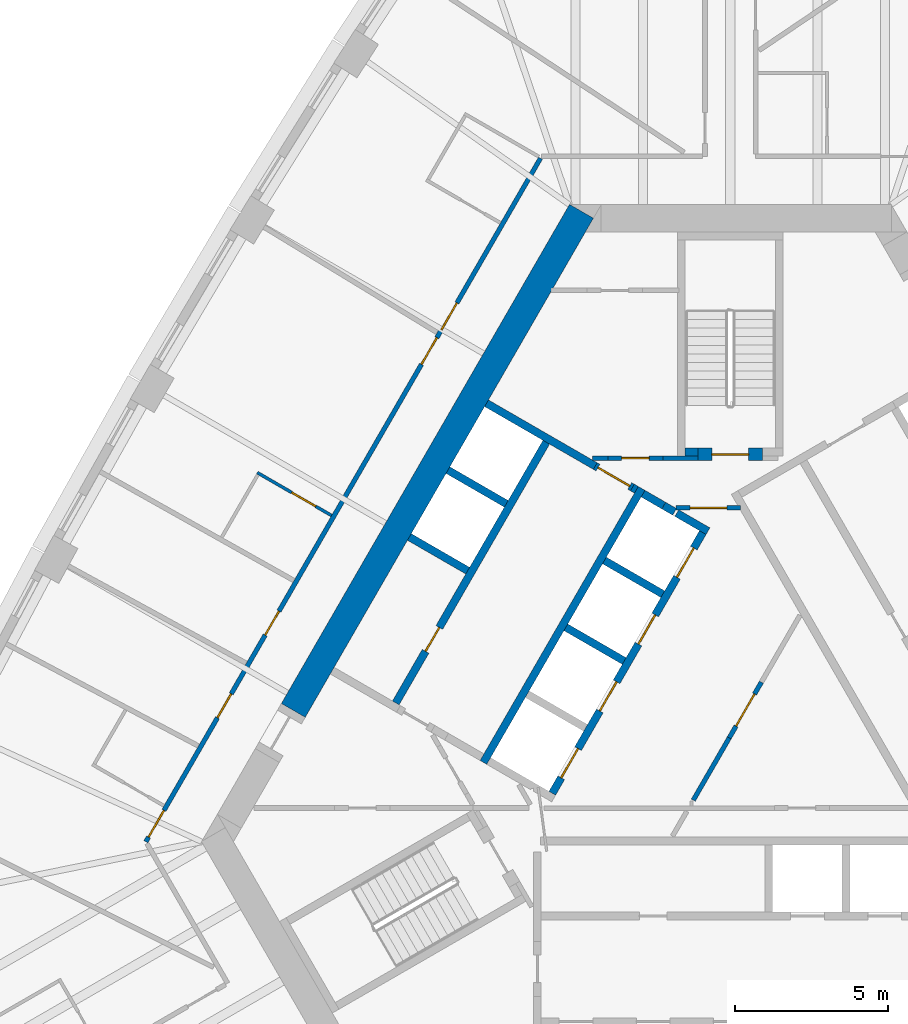
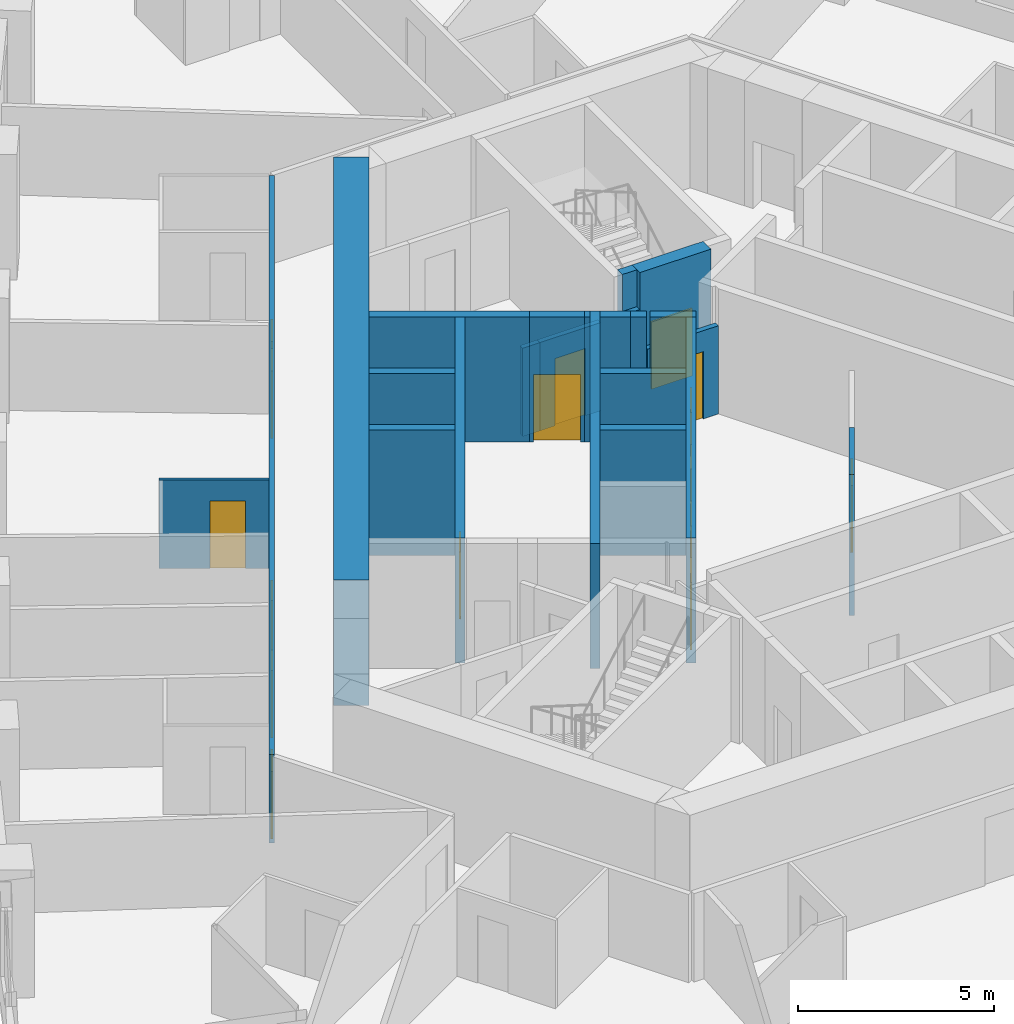
# One storey, part 6 of 12: 24 walls, 16 doors, 16 openings.
"""IFC4 building model written with IfcOpenShell, lengths in metres."""

from ifc_helpers import new_model, si_unit, direction, frame, frame_2d, origin, place, context, subcontext, project, spatial, polyline, rectangle, outline, extrude, material, layer, layer_set, type_object, element, fill, save


model = new_model("IFC4")

# Units and contexts
model_context = context("Model", 3, precision=1e-05, world=origin(), true_north=direction((0.0, 1.0)))
body_context = subcontext(model_context, "Body", "Model", "MODEL_VIEW")
ifc_project = project(units=[si_unit("LENGTHUNIT", "METRE"), si_unit("AREAUNIT", "SQUARE_METRE"), si_unit("VOLUMEUNIT", "CUBIC_METRE"), si_unit("PLANEANGLEUNIT", "RADIAN"), si_unit("MASSUNIT", "GRAM", prefix="KILO")], contexts=[model_context])

# Site, building, storey
site_placement = place(None, origin())
site = spatial("IfcSite", under=ifc_project, at=site_placement, CompositionType="ELEMENT")
building_placement = place(site_placement, origin())
building = spatial("IfcBuilding", under=site, at=building_placement, Name="Mestral Congress Tower", CompositionType="ELEMENT")
storey_placement = place(building_placement, frame((0.0, 0.0, 126.60009765625)))
storey = spatial("IfcBuildingStorey", under=building, at=storey_placement, Name="L30", CompositionType="ELEMENT", Elevation=126.60009765625)

# Walls
ifc_material_1 = material(Name="Fire-rated board partition")
ifc_layer_1 = layer(ifc_material_1, 0.14990234375)
ifc_layer_set_1 = layer_set([ifc_layer_1], Name="Fire-rated board partition")
wall_type_1 = type_object("IfcWallType", Name="Core partition 150", PredefinedType="PARTITIONING", material=ifc_layer_set_1)
wall_1_placement = place(storey_placement, frame((-1.20849609375, -2.5439453125, 0.0), z_axis=(0.0, 0.0, 1.0), x_axis=(0.499995339376, 0.86602809458, 0.0)))
element("IfcWall", 1, at=wall_1_placement, inside=storey, type_object=wall_type_1, Name="L30 core wall", PredefinedType="PARTITIONING", context=body_context, shape_type="SweptSolid", body=[
    extrude(rectangle(XDim=2.34912109375, YDim=0.14990234375, at=frame_2d((1.174560546875, 0.0))), origin(), (0.0, 0.0, 1.0), 2.75),
])
wall_2_placement = place(storey_placement, frame((-3.99658203125, 8.625244140625, 0.0), z_axis=(0.0, 0.0, 1.0), x_axis=(-1.0, 0.0, 0.0)))
element("IfcWall", 2, at=wall_2_placement, inside=storey, type_object=wall_type_1, Name="L30 core wall", PredefinedType="PARTITIONING", context=body_context, shape_type="SweptSolid", body=[
    extrude(rectangle(XDim=0.502197265625, YDim=0.14990234375, at=frame_2d((0.2509765625, 0.0))), origin(), (0.0, 0.0, 1.0), 2.75),
])
wall_3_placement = place(storey_placement, frame((-2.1962890625, 8.62548828125, 0.0), z_axis=(0.0, 0.0, 1.0), x_axis=(1.0, 0.0, 0.0)))
element("IfcWall", 3, at=wall_3_placement, inside=storey, type_object=wall_type_1, Name="L30 core wall", PredefinedType="PARTITIONING", context=body_context, shape_type="SweptSolid", body=[
    extrude(rectangle(XDim=1.146240234375, YDim=0.14990234375, at=frame_2d((0.5732421875, 0.0))), origin(), (0.0, 0.0, 1.0), 2.75),
])

# Wall, opening, door
wall_4_placement = place(storey_placement, frame((-2.1962890625, 8.625, 0.0), z_axis=(0.0, 0.0, 1.0), x_axis=(-1.0, 0.0, 0.0)))
wall_4 = element("IfcWall", 4, at=wall_4_placement, inside=storey, type_object=wall_type_1, Name="L30 door wall", PredefinedType="PARTITIONING", context=body_context, shape_type="SweptSolid", body=[
    extrude(rectangle(XDim=1.800048828125, YDim=0.14990234375, at=frame_2d((0.89990234375, 0.0))), origin(), (0.0, 0.0, 1.0), 2.75),
])
opening_1_placement = place(wall_4_placement, frame((0.449951171875, 0.0, 0.0)))
opening_1 = element("IfcOpeningElement", 5, at=opening_1_placement, cuts=wall_4, Name="Opening TD2", PredefinedType="OPENING", context=body_context, shape_type="SweptSolid", body=[
    extrude(rectangle(XDim=0.89990234375, YDim=2.10009765625, at=frame_2d((0.449951171875, 1.050048828125))), frame((0.0, 0.0849609375, 0.0), z_axis=(0.0, -1.0, 0.0), x_axis=(1.0, 0.0, 0.0)), (0.0, 0.0, 1.0), 0.169921875),
])
ifc_material_2 = material(Name="Fire-rated steel door set", Category="steel")
door_type_1 = type_object("IfcDoorType", Name="Core door SR 900x2100", OperationType="SINGLE_SWING_LEFT", PredefinedType="DOOR", material=ifc_material_2)
door_1_placement = place(opening_1_placement, origin())
door_1 = element("IfcDoor", 6, at=door_1_placement, inside=storey, type_object=door_type_1, Name="Door TD2", OperationType="SINGLE_SWING_LEFT", OverallHeight=2.10009765625, OverallWidth=0.89990234375, PredefinedType="DOOR", context=body_context, shape_type="SweptSolid", body=[
    extrude(rectangle(XDim=0.89990234375, YDim=2.10009765625, at=frame_2d((0.449951171875, 1.050048828125))), frame((0.0, 0.02490234375, 0.0), z_axis=(0.0, -1.0, 0.0), x_axis=(1.0, 0.0, 0.0)), (0.0, 0.0, 1.0), 0.050048828125),
])
fill(opening_1, door_1)

wall_5_placement = place(storey_placement, frame((-1.765380859375, 7.0, 0.0), z_axis=(0.0, 0.0, 1.0), x_axis=(1.0, 0.0, 0.0)))
wall_5 = element("IfcWall", 7, at=wall_5_placement, inside=storey, type_object=wall_type_1, Name="L30 door wall", PredefinedType="PARTITIONING", context=body_context, shape_type="SweptSolid", body=[
    extrude(rectangle(XDim=2.10009765625, YDim=0.14990234375, at=frame_2d((1.050048828125, 0.0))), origin(), (0.0, 0.0, 1.0), 2.75),
])
opening_2_placement = place(wall_5_placement, frame((0.449951171875, 0.0, 0.0)))
opening_2 = element("IfcOpeningElement", 8, at=opening_2_placement, cuts=wall_5, Name="Opening CD2-FF", PredefinedType="OPENING", context=body_context, shape_type="SweptSolid", body=[
    extrude(rectangle(XDim=1.199951171875, YDim=2.10009765625, at=frame_2d((0.60009765625, 1.050048828125))), frame((0.0, 0.0849609375, 0.0), z_axis=(0.0, -1.0, 0.0), x_axis=(1.0, 0.0, 0.0)), (0.0, 0.0, 1.0), 0.169921875),
])
door_type_2 = type_object("IfcDoorType", Name="Core door CD 1200x2100", OperationType="SINGLE_SWING_LEFT", PredefinedType="DOOR", material=ifc_material_2)
door_2_placement = place(opening_2_placement, origin())
door_2 = element("IfcDoor", 9, at=door_2_placement, inside=storey, type_object=door_type_2, Name="Door CD2-FF", OperationType="SINGLE_SWING_LEFT", OverallHeight=2.10009765625, OverallWidth=1.199951171875, PredefinedType="DOOR", context=body_context, shape_type="SweptSolid", body=[
    extrude(rectangle(XDim=1.199951171875, YDim=2.10009765625, at=frame_2d((0.60009765625, 1.050048828125))), frame((0.0, 0.02490234375, 0.0), z_axis=(0.0, -1.0, 0.0), x_axis=(1.0, 0.0, 0.0)), (0.0, 0.0, 1.0), 0.050048828125),
])
fill(opening_2, door_2)

wall_6_placement = place(storey_placement, frame((-0.0341796875, -0.50927734375, 0.0), z_axis=(0.0, 0.0, 1.0), x_axis=(0.49994051562, 0.866059744384, 0.0)))
wall_6 = element("IfcWall", 10, at=wall_6_placement, inside=storey, type_object=wall_type_1, Name="L30 door wall", PredefinedType="PARTITIONING", context=body_context, shape_type="SweptSolid", body=[
    extrude(rectangle(XDim=2.099853515625, YDim=0.14990234375, at=frame_2d((1.0498046875, 0.0))), origin(), (0.0, 0.0, 1.0), 2.75),
])
opening_3_placement = place(wall_6_placement, frame((0.449951171875, 0.0, 0.0)))
opening_3 = element("IfcOpeningElement", 11, at=opening_3_placement, cuts=wall_6, Name="Opening CD3-HUB0", PredefinedType="OPENING", context=body_context, shape_type="SweptSolid", body=[
    extrude(rectangle(XDim=1.199951171875, YDim=2.10009765625, at=frame_2d((0.60009765625, 1.050048828125))), frame((0.0, 0.0849609375, 0.0), z_axis=(0.0, -1.0, 0.0), x_axis=(1.0, 0.0, 0.0)), (0.0, 0.0, 1.0), 0.169921875),
])
door_3_placement = place(opening_3_placement, origin())
door_3 = element("IfcDoor", 12, at=door_3_placement, inside=storey, type_object=door_type_2, Name="Door CD3-HUB0", OperationType="SINGLE_SWING_LEFT", OverallHeight=2.10009765625, OverallWidth=1.199951171875, PredefinedType="DOOR", context=body_context, shape_type="SweptSolid", body=[
    extrude(rectangle(XDim=1.199951171875, YDim=2.10009765625, at=frame_2d((0.60009765625, 1.050048828125))), frame((0.0, 0.02490234375, 0.0), z_axis=(0.0, -1.0, 0.0), x_axis=(1.0, 0.0, 0.0)), (0.0, 0.0, 1.0), 0.050048828125),
])
fill(opening_3, door_3)

# Wall
ifc_material_3 = material(Name="Concrete C60/75", Category="concrete")
ifc_layer_2 = layer(ifc_material_3, 0.89990234375)
ifc_layer_set_2 = layer_set([ifc_layer_2], Name="Concrete C60/75")
wall_type_2 = type_object("IfcWallType", Name="Core wall RC 900", PredefinedType="SOLIDWALL", material=ifc_layer_set_2)
wall_7_placement = place(storey_placement, frame((-14.267822265625, 0.38720703125, 0.0), z_axis=(0.0, 0.0, 1.0), x_axis=(0.499994617707, 0.866028511231, 0.0)))
element("IfcWall", 13, at=wall_7_placement, inside=storey, type_object=wall_type_2, Name="L30 core wall", PredefinedType="SOLIDWALL", context=body_context, shape_type="SweptSolid", body=[
    extrude(rectangle(XDim=18.817138671875, YDim=0.89990234375, at=frame_2d((9.40869140625, 0.0))), origin(), (0.0, 0.0, 1.0), 3.89990234375),
])

# Wall, opening, door
ifc_material_4 = material(Name="Gypsum board partition on metal studs with mineral wool", Category="composite")
ifc_layer_3 = layer(ifc_material_4, 0.10009765625)
ifc_layer_set_3 = layer_set([ifc_layer_3], Name="Gypsum board partition on metal studs with mineral wool")
wall_type_3 = type_object("IfcWallType", Name="Hotel partition wall 100", PredefinedType="PARTITIONING", material=ifc_layer_set_3)
wall_8_placement = place(storey_placement, frame((-13.018798828125, 6.750732421875, 0.0), z_axis=(0.0, 0.0, 1.0), x_axis=(-0.866034573852, 0.49998411664, 0.0)))
wall_8 = element("IfcWall", 14, at=wall_8_placement, inside=storey, type_object=wall_type_3, Name="L30-h-pod15a", PredefinedType="PARTITIONING", context=body_context, shape_type="SweptSolid", body=[
    extrude(rectangle(XDim=2.7998046875, YDim=0.10009765625, at=frame_2d((1.39990234375, 0.0))), origin(), (0.0, 0.0, 1.0), 2.75),
])
opening_4_placement = place(wall_8_placement, frame((0.60009765625, 0.0, 0.0)))
opening_4 = element("IfcOpeningElement", 15, at=opening_4_placement, cuts=wall_8, Name="Opening H09-030", PredefinedType="OPENING", context=body_context, shape_type="SweptSolid", body=[
    extrude(rectangle(XDim=0.89990234375, YDim=2.10009765625, at=frame_2d((0.449951171875, 1.050048828125))), frame((0.0, 0.06005859375, 0.0), z_axis=(0.0, -1.0, 0.0), x_axis=(1.0, 0.0, 0.0)), (0.0, 0.0, 1.0), 0.1201171875),
])
ifc_material_5 = material(Name="Timber veneer door leaf in timber frame", Category="wood")
door_type_3 = type_object("IfcDoorType", Name="Bathroom door 900", OperationType="SINGLE_SWING_LEFT", PredefinedType="DOOR", material=ifc_material_5)
door_4_placement = place(opening_4_placement, origin())
door_4 = element("IfcDoor", 16, at=door_4_placement, inside=storey, type_object=door_type_3, Name="L30-h-d030", OperationType="SINGLE_SWING_RIGHT", OverallHeight=2.10009765625, OverallWidth=0.89990234375, PredefinedType="DOOR", context=body_context, shape_type="SweptSolid", body=[
    extrude(rectangle(XDim=0.89990234375, YDim=2.10009765625, at=frame_2d((0.449951171875, 1.050048828125))), frame((0.0, 0.02490234375, 0.0), z_axis=(0.0, -1.0, 0.0), x_axis=(1.0, 0.0, 0.0)), (0.0, 0.0, 1.0), 0.050048828125),
])
fill(opening_4, door_4)

# Wall, openings, doors
ifc_layer_4 = layer(ifc_material_4, 0.14990234375)
ifc_layer_set_4 = layer_set([ifc_layer_4], Name="Gypsum board partition on metal studs with mineral wool")
wall_type_4 = type_object("IfcWallType", Name="Hotel partition wall 150", PredefinedType="PARTITIONING", material=ifc_layer_set_4)
wall_9_placement = place(storey_placement, frame((-19.081298828125, -3.89990234375, 0.0), z_axis=(0.0, 0.0, 1.0), x_axis=(0.499998313975, 0.866026377209, 0.0)))
wall_9 = element("IfcWall", 17, at=wall_9_placement, inside=storey, type_object=wall_type_4, Name="L30-h-cw08", PredefinedType="PARTITIONING", context=body_context, shape_type="SweptSolid", body=[
    extrude(rectangle(XDim=25.76611328125, YDim=0.14990234375, at=frame_2d((12.883056640625, 0.0))), origin(), (0.0, 0.0, 1.0), 2.75),
])
opening_5_placement = place(wall_9_placement, frame((19.30615234375, 0.0, 0.0)))
opening_5 = element("IfcOpeningElement", 18, at=opening_5_placement, cuts=wall_9, Name="Opening H09-027", PredefinedType="OPENING", context=body_context, shape_type="SweptSolid", body=[
    extrude(rectangle(XDim=1.0, YDim=2.10009765625, at=frame_2d((0.5, 1.050048828125))), frame((0.0, 0.0849609375, 0.0), z_axis=(0.0, -1.0, 0.0), x_axis=(1.0, 0.0, 0.0)), (0.0, 0.0, 1.0), 0.169921875),
])
opening_6_placement = place(wall_9_placement, frame((17.99951171875, 0.0, 0.0)))
opening_6 = element("IfcOpeningElement", 19, at=opening_6_placement, cuts=wall_9, Name="Opening H09-029", PredefinedType="OPENING", context=body_context, shape_type="SweptSolid", body=[
    extrude(rectangle(XDim=1.0, YDim=2.10009765625, at=frame_2d((0.5, 1.050048828125))), frame((0.0, 0.0849609375, 0.0), z_axis=(0.0, -1.0, 0.0), x_axis=(1.0, 0.0, 0.0)), (0.0, 0.0, 1.0), 0.169921875),
])
opening_7_placement = place(wall_9_placement, frame((7.792724609375, 0.0, 0.0)))
opening_7 = element("IfcOpeningElement", 20, at=opening_7_placement, cuts=wall_9, Name="Opening H09-031", PredefinedType="OPENING", context=body_context, shape_type="SweptSolid", body=[
    extrude(rectangle(XDim=0.89990234375, YDim=2.10009765625, at=frame_2d((0.449951171875, 1.050048828125))), frame((0.0, 0.0849609375, 0.0), z_axis=(0.0, -1.0, 0.0), x_axis=(1.0, 0.0, 0.0)), (0.0, 0.0, 1.0), 0.169921875),
])
opening_8_placement = place(wall_9_placement, frame((4.674072265625, 0.0, 0.0)))
opening_8 = element("IfcOpeningElement", 21, at=opening_8_placement, cuts=wall_9, Name="Opening H09-032", PredefinedType="OPENING", context=body_context, shape_type="SweptSolid", body=[
    extrude(rectangle(XDim=0.89990234375, YDim=2.10009765625, at=frame_2d((0.449951171875, 1.050048828125))), frame((0.0, 0.0849609375, 0.0), z_axis=(0.0, -1.0, 0.0), x_axis=(1.0, 0.0, 0.0)), (0.0, 0.0, 1.0), 0.169921875),
])
opening_9_placement = place(wall_9_placement, frame((0.179931640625, 0.0, 0.0)))
opening_9 = element("IfcOpeningElement", 22, at=opening_9_placement, cuts=wall_9, Name="Opening H09-033", PredefinedType="OPENING", context=body_context, shape_type="SweptSolid", body=[
    extrude(rectangle(XDim=1.0, YDim=2.10009765625, at=frame_2d((0.5, 1.050048828125))), frame((0.0, 0.0849609375, 0.0), z_axis=(0.0, -1.0, 0.0), x_axis=(1.0, 0.0, 0.0)), (0.0, 0.0, 1.0), 0.169921875),
])
ifc_material_6 = material(Name="Timber veneer door leaf in metal frame", Category="wood")
door_type_4 = type_object("IfcDoorType", Name="Guest room entrance door 1000", OperationType="SINGLE_SWING_LEFT", PredefinedType="DOOR", material=ifc_material_6)
door_5_placement = place(opening_5_placement, origin())
door_5 = element("IfcDoor", 23, at=door_5_placement, inside=storey, type_object=door_type_4, Name="L30-h-d027", OperationType="SINGLE_SWING_LEFT", OverallHeight=2.10009765625, OverallWidth=1.0, PredefinedType="DOOR", context=body_context, shape_type="SweptSolid", body=[
    extrude(rectangle(XDim=1.0, YDim=2.10009765625, at=frame_2d((0.5, 1.050048828125))), frame((0.0, 0.02490234375, 0.0), z_axis=(0.0, -1.0, 0.0), x_axis=(1.0, 0.0, 0.0)), (0.0, 0.0, 1.0), 0.050048828125),
])
fill(opening_5, door_5)
door_6_placement = place(opening_6_placement, origin())
door_6 = element("IfcDoor", 24, at=door_6_placement, inside=storey, type_object=door_type_4, Name="L30-h-d029", OperationType="SINGLE_SWING_RIGHT", OverallHeight=2.10009765625, OverallWidth=1.0, PredefinedType="DOOR", context=body_context, shape_type="SweptSolid", body=[
    extrude(rectangle(XDim=1.0, YDim=2.10009765625, at=frame_2d((0.5, 1.050048828125))), frame((0.0, 0.02490234375, 0.0), z_axis=(0.0, -1.0, 0.0), x_axis=(1.0, 0.0, 0.0)), (0.0, 0.0, 1.0), 0.050048828125),
])
fill(opening_6, door_6)
door_7_placement = place(opening_9_placement, origin())
door_7 = element("IfcDoor", 25, at=door_7_placement, inside=storey, type_object=door_type_4, Name="L30-h-d033", OperationType="SINGLE_SWING_LEFT", OverallHeight=2.10009765625, OverallWidth=1.0, PredefinedType="DOOR", context=body_context, shape_type="SweptSolid", body=[
    extrude(rectangle(XDim=1.0, YDim=2.10009765625, at=frame_2d((0.5, 1.050048828125))), frame((0.0, 0.02490234375, 0.0), z_axis=(0.0, -1.0, 0.0), x_axis=(1.0, 0.0, 0.0)), (0.0, 0.0, 1.0), 0.050048828125),
])
fill(opening_9, door_7)
door_type_5 = type_object("IfcDoorType", Name="Service room door 900", OperationType="SINGLE_SWING_LEFT", PredefinedType="DOOR", material=ifc_material_6)
door_8_placement = place(opening_7_placement, origin())
door_8 = element("IfcDoor", 26, at=door_8_placement, inside=storey, type_object=door_type_5, Name="L30-h-d031", OperationType="SINGLE_SWING_RIGHT", OverallHeight=2.10009765625, OverallWidth=0.89990234375, PredefinedType="DOOR", context=body_context, shape_type="SweptSolid", body=[
    extrude(rectangle(XDim=0.89990234375, YDim=2.10009765625, at=frame_2d((0.449951171875, 1.050048828125))), frame((0.0, 0.02490234375, 0.0), z_axis=(0.0, -1.0, 0.0), x_axis=(1.0, 0.0, 0.0)), (0.0, 0.0, 1.0), 0.050048828125),
])
fill(opening_7, door_8)
door_9_placement = place(opening_8_placement, origin())
door_9 = element("IfcDoor", 27, at=door_9_placement, inside=storey, type_object=door_type_5, Name="L30-h-d032", OperationType="SINGLE_SWING_LEFT", OverallHeight=2.10009765625, OverallWidth=0.89990234375, PredefinedType="DOOR", context=body_context, shape_type="SweptSolid", body=[
    extrude(rectangle(XDim=0.89990234375, YDim=2.10009765625, at=frame_2d((0.449951171875, 1.050048828125))), frame((0.0, 0.02490234375, 0.0), z_axis=(0.0, -1.0, 0.0), x_axis=(1.0, 0.0, 0.0)), (0.0, 0.0, 1.0), 0.050048828125),
])
fill(opening_8, door_9)

# Walls
ifc_layer_5 = layer(ifc_material_3, 0.25)
ifc_layer_set_5 = layer_set([ifc_layer_5], Name="Concrete C60/75")
wall_type_5 = type_object("IfcWallType", Name="Shaft wall RC 250", PredefinedType="SOLIDWALL", material=ifc_layer_set_5)
wall_10_placement = place(storey_placement, frame((-8.06005859375, -1.310546875, 0.0), z_axis=(0.0, 0.0, 1.0), x_axis=(0.50000273126, 0.866023826885, 0.0)))
element("IfcWall", 28, at=wall_10_placement, inside=storey, type_object=wall_type_5, Name="L30 core wall", PredefinedType="SOLIDWALL", context=body_context, shape_type="SweptSolid", body=[
    extrude(rectangle(XDim=10.330078125, YDim=0.25, at=frame_2d((5.1650390625, 0.0))), origin(), (0.0, 0.0, 1.0), 3.89990234375),
])
wall_11_placement = place(storey_placement, frame((-1.818603515625, 6.869873046875, 0.0), z_axis=(0.0, 0.0, 1.0), x_axis=(-0.866294599386, 0.499533449405, 0.0)))
element("IfcWall", 29, at=wall_11_placement, inside=storey, type_object=wall_type_5, Name="L30 core wall", PredefinedType="SOLIDWALL", context=body_context, shape_type="SweptSolid", body=[
    extrude(rectangle(XDim=0.41015625, YDim=0.25, at=frame_2d((0.205078125, 0.0))), origin(), (0.0, 0.0, 1.0), 3.89990234375),
])
wall_12_placement = place(storey_placement, frame((-2.849365234375, 7.46484375, 0.0), z_axis=(0.0, 0.0, 1.0), x_axis=(0.865955664968, -0.500120771724, 0.0)))
element("IfcWall", 30, at=wall_12_placement, inside=storey, type_object=wall_type_5, Name="L30 core wall", PredefinedType="SOLIDWALL", context=body_context, shape_type="SweptSolid", body=[
    extrude(rectangle(XDim=0.778076171875, YDim=0.25, at=frame_2d((0.38916015625, 0.0))), origin(), (0.0, 0.0, 1.0), 3.89990234375),
])
wall_13_placement = place(storey_placement, frame((-0.7275390625, 6.23974609375, 0.0), z_axis=(0.0, 0.0, 1.0), x_axis=(-0.866002680491, 0.500039355833, 0.0)))
element("IfcWall", 31, at=wall_13_placement, inside=storey, type_object=wall_type_5, Name="L30 core wall", PredefinedType="SOLIDWALL", context=body_context, shape_type="SweptSolid", body=[
    extrude(rectangle(XDim=1.17822265625, YDim=0.25, at=frame_2d((0.589111328125, 0.0))), origin(), (0.0, 0.0, 1.0), 3.89990234375),
])
for number, where, z_axis, x_axis, name in (
    (32, (-2.2041015625, 4.182373046875, 0.0), (0.0, 0.0, 1.0), (-0.866008176907, 0.50002983664, 0.0), "L30 core wall"),
    (33, (-5.369384765625, 3.10009765625, 0.0), (0.0, 0.0, 1.0), (0.866008176907, -0.50002983664, 0.0), "L30 core wall"),
):
    element("IfcWall", number, at=place(storey_placement, frame(where, z_axis=z_axis, x_axis=x_axis)), inside=storey, type_object=wall_type_5, Name=name, PredefinedType="SOLIDWALL", context=body_context, shape_type="SweptSolid", body=[
        extrude(rectangle(XDim=2.199951171875, YDim=0.25, at=frame_2d((1.10009765625, 0.0))), origin(), (0.0, 0.0, 1.0), 3.89990234375),
    ])
wall_14_placement = place(storey_placement, origin())
element("IfcWall", 34, at=wall_14_placement, inside=storey, type_object=wall_type_5, Name="L30 core wall", PredefinedType="SOLIDWALL", context=body_context, shape_type="SweptSolid", body=[
    extrude(outline(polyline([(-3.12841796875, 7.4814453125), (-3.2587890625, 7.556640625), (-3.1337890625, 7.773193359375), (-3.00341796875, 7.697998046875), (-3.12841796875, 7.4814453125)])), origin(), (0.0, 0.0, 1.0), 3.89990234375),
])
for number, where, z_axis, x_axis, name in (
    (35, (-8.57373046875, 4.949951171875, 0.0), (0.0, 0.0, 1.0), (-0.866008176907, 0.50002983664, 0.0), "L30 core wall"),
    (36, (-7.313720703125, 7.13232421875, 0.0), (0.0, 0.0, 1.0), (-0.866008176907, 0.50002983664, 0.0), "L30 core wall"),
):
    element("IfcWall", number, at=place(storey_placement, frame(where, z_axis=z_axis, x_axis=x_axis)), inside=storey, type_object=wall_type_5, Name=name, PredefinedType="SOLIDWALL", context=body_context, shape_type="SweptSolid", body=[
        extrude(rectangle(XDim=2.199951171875, YDim=0.25, at=frame_2d((1.10009765625, 0.0))), origin(), (0.0, 0.0, 1.0), 3.89990234375),
    ])
wall_15_placement = place(storey_placement, frame((-7.958984375, 10.414794921875, 0.0), z_axis=(0.0, 0.0, 1.0), x_axis=(0.866020958405, -0.500007699544, 0.0)))
element("IfcWall", 37, at=wall_15_placement, inside=storey, type_object=wall_type_5, Name="L30 core wall", PredefinedType="SOLIDWALL", context=body_context, shape_type="SweptSolid", body=[
    extrude(rectangle(XDim=4.099609375, YDim=0.25, at=frame_2d((2.0498046875, 0.0))), origin(), (0.0, 0.0, 1.0), 3.89990234375),
])

# Wall, opening, door
wall_16_placement = place(storey_placement, frame((-6.0078125, 9.14404296875, 0.0), z_axis=(0.0, 0.0, 1.0), x_axis=(-0.500006956611, -0.866021387346, 0.0)))
wall_16 = element("IfcWall", 38, at=wall_16_placement, inside=storey, type_object=wall_type_5, Name="L30 door wall", PredefinedType="SOLIDWALL", context=body_context, shape_type="SweptSolid", body=[
    extrude(rectangle(XDim=9.829833984375, YDim=0.25, at=frame_2d((4.9150390625, 0.0))), origin(), (0.0, 0.0, 1.0), 3.89990234375),
])
opening_10_placement = place(wall_16_placement, frame((6.985107421875, 0.0, 0.0)))
opening_10 = element("IfcOpeningElement", 39, at=opening_10_placement, cuts=wall_16, Name="Opening SR-NWA2", PredefinedType="OPENING", context=body_context, shape_type="SweptSolid", body=[
    extrude(rectangle(XDim=0.89990234375, YDim=2.10009765625, at=frame_2d((0.449951171875, 1.050048828125))), frame((0.0, 0.135009765625, 0.0), z_axis=(0.0, -1.0, 0.0), x_axis=(1.0, 0.0, 0.0)), (0.0, 0.0, 1.0), 0.27001953125),
])
door_10_placement = place(opening_10_placement, origin())
door_10 = element("IfcDoor", 40, at=door_10_placement, inside=storey, type_object=door_type_1, Name="Door SR-NWA2", OperationType="SINGLE_SWING_LEFT", OverallHeight=2.10009765625, OverallWidth=0.89990234375, PredefinedType="DOOR", context=body_context, shape_type="SweptSolid", body=[
    extrude(rectangle(XDim=0.89990234375, YDim=2.10009765625, at=frame_2d((0.449951171875, 1.050048828125))), frame((0.0, 0.02490234375, 0.0), z_axis=(0.0, -1.0, 0.0), x_axis=(1.0, 0.0, 0.0)), (0.0, 0.0, 1.0), 0.050048828125),
])
fill(opening_10, door_10)

# Wall, openings, doors
wall_17_placement = place(storey_placement, frame((-0.898193359375, 6.194091796875, 0.0), z_axis=(0.0, 0.0, 1.0), x_axis=(-0.499996202215, -0.866027596426, 0.0)))
wall_17 = element("IfcWall", 41, at=wall_17_placement, inside=storey, type_object=wall_type_5, Name="L30 door wall", PredefinedType="SOLIDWALL", context=body_context, shape_type="SweptSolid", body=[
    extrude(rectangle(XDim=9.830078125, YDim=0.25, at=frame_2d((4.9150390625, 0.0))), origin(), (0.0, 0.0, 1.0), 3.89990234375),
])
opening_11_placement = place(wall_17_placement, frame((0.5849609375, 0.0, 0.0)))
opening_11 = element("IfcOpeningElement", 42, at=opening_11_placement, cuts=wall_17, Name="Opening LD-NWB1", PredefinedType="OPENING", context=body_context, shape_type="SweptSolid", body=[
    extrude(rectangle(XDim=1.10009765625, YDim=2.10009765625, at=frame_2d((0.550048828125, 1.050048828125))), frame((0.0, 0.135009765625, 0.0), z_axis=(0.0, -1.0, 0.0), x_axis=(1.0, 0.0, 0.0)), (0.0, 0.0, 1.0), 0.27001953125),
])
opening_12_placement = place(wall_17_placement, frame((3.10498046875, 0.0, 0.0)))
opening_12 = element("IfcOpeningElement", 43, at=opening_12_placement, cuts=wall_17, Name="Opening LD-NWB2", PredefinedType="OPENING", context=body_context, shape_type="SweptSolid", body=[
    extrude(rectangle(XDim=1.10009765625, YDim=2.10009765625, at=frame_2d((0.550048828125, 1.050048828125))), frame((0.0, 0.135009765625, 0.0), z_axis=(0.0, -1.0, 0.0), x_axis=(1.0, 0.0, 0.0)), (0.0, 0.0, 1.0), 0.27001953125),
])
opening_13_placement = place(wall_17_placement, frame((5.625, 0.0, 0.0)))
opening_13 = element("IfcOpeningElement", 44, at=opening_13_placement, cuts=wall_17, Name="Opening LD-NWB3", PredefinedType="OPENING", context=body_context, shape_type="SweptSolid", body=[
    extrude(rectangle(XDim=1.10009765625, YDim=2.10009765625, at=frame_2d((0.550048828125, 1.050048828125))), frame((0.0, 0.135009765625, 0.0), z_axis=(0.0, -1.0, 0.0), x_axis=(1.0, 0.0, 0.0)), (0.0, 0.0, 1.0), 0.27001953125),
])
opening_14_placement = place(wall_17_placement, frame((8.14501953125, 0.0, 0.0)))
opening_14 = element("IfcOpeningElement", 45, at=opening_14_placement, cuts=wall_17, Name="Opening LD-NWB4", PredefinedType="OPENING", context=body_context, shape_type="SweptSolid", body=[
    extrude(rectangle(XDim=1.10009765625, YDim=2.10009765625, at=frame_2d((0.550048828125, 1.050048828125))), frame((0.0, 0.135009765625, 0.0), z_axis=(0.0, -1.0, 0.0), x_axis=(1.0, 0.0, 0.0)), (0.0, 0.0, 1.0), 0.27001953125),
])
door_type_6 = type_object("IfcDoorType", Name="Core door LD 1100x2100", OperationType="DOUBLE_DOOR_SLIDING", PredefinedType="DOOR", material=ifc_material_2)
door_11_placement = place(opening_11_placement, origin())
door_11 = element("IfcDoor", 46, at=door_11_placement, inside=storey, type_object=door_type_6, Name="Door LD-NWB1", OperationType="DOUBLE_DOOR_SLIDING", OverallHeight=2.10009765625, OverallWidth=1.10009765625, PredefinedType="DOOR", context=body_context, shape_type="SweptSolid", body=[
    extrude(rectangle(XDim=1.10009765625, YDim=2.10009765625, at=frame_2d((0.550048828125, 1.050048828125))), frame((0.0, 0.02490234375, 0.0), z_axis=(0.0, -1.0, 0.0), x_axis=(1.0, 0.0, 0.0)), (0.0, 0.0, 1.0), 0.050048828125),
])
fill(opening_11, door_11)
door_12_placement = place(opening_12_placement, origin())
door_12 = element("IfcDoor", 47, at=door_12_placement, inside=storey, type_object=door_type_6, Name="Door LD-NWB2", OperationType="DOUBLE_DOOR_SLIDING", OverallHeight=2.10009765625, OverallWidth=1.10009765625, PredefinedType="DOOR", context=body_context, shape_type="SweptSolid", body=[
    extrude(rectangle(XDim=1.10009765625, YDim=2.10009765625, at=frame_2d((0.550048828125, 1.050048828125))), frame((0.0, 0.02490234375, 0.0), z_axis=(0.0, -1.0, 0.0), x_axis=(1.0, 0.0, 0.0)), (0.0, 0.0, 1.0), 0.050048828125),
])
fill(opening_12, door_12)
door_13_placement = place(opening_13_placement, origin())
door_13 = element("IfcDoor", 48, at=door_13_placement, inside=storey, type_object=door_type_6, Name="Door LD-NWB3", OperationType="DOUBLE_DOOR_SLIDING", OverallHeight=2.10009765625, OverallWidth=1.10009765625, PredefinedType="DOOR", context=body_context, shape_type="SweptSolid", body=[
    extrude(rectangle(XDim=1.10009765625, YDim=2.10009765625, at=frame_2d((0.550048828125, 1.050048828125))), frame((0.0, 0.02490234375, 0.0), z_axis=(0.0, -1.0, 0.0), x_axis=(1.0, 0.0, 0.0)), (0.0, 0.0, 1.0), 0.050048828125),
])
fill(opening_13, door_13)
door_14_placement = place(opening_14_placement, origin())
door_14 = element("IfcDoor", 49, at=door_14_placement, inside=storey, type_object=door_type_6, Name="Door LD-NWB4", OperationType="DOUBLE_DOOR_SLIDING", OverallHeight=2.10009765625, OverallWidth=1.10009765625, PredefinedType="DOOR", context=body_context, shape_type="SweptSolid", body=[
    extrude(rectangle(XDim=1.10009765625, YDim=2.10009765625, at=frame_2d((0.550048828125, 1.050048828125))), frame((0.0, 0.02490234375, 0.0), z_axis=(0.0, -1.0, 0.0), x_axis=(1.0, 0.0, 0.0)), (0.0, 0.0, 1.0), 0.050048828125),
])
fill(opening_14, door_14)

# Wall, opening, door
wall_18_placement = place(storey_placement, frame((-4.40869140625, 8.364990234375, 0.0), z_axis=(0.0, 0.0, 1.0), x_axis=(0.866034573852, -0.49998411664, 0.0)))
wall_18 = element("IfcWall", 50, at=wall_18_placement, inside=storey, type_object=wall_type_5, Name="L30 door wall", PredefinedType="SOLIDWALL", context=body_context, shape_type="SweptSolid", body=[
    extrude(rectangle(XDim=1.39990234375, YDim=0.25, at=frame_2d((0.699951171875, 0.0))), origin(), (0.0, 0.0, 1.0), 3.89990234375),
])
opening_15_placement = place(wall_18_placement, frame((0.10009765625, 0.0, 0.0)))
opening_15 = element("IfcOpeningElement", 51, at=opening_15_placement, cuts=wall_18, Name="Opening LB2-WL2", PredefinedType="OPENING", context=body_context, shape_type="SweptSolid", body=[
    extrude(rectangle(XDim=1.199951171875, YDim=2.10009765625, at=frame_2d((0.60009765625, 1.050048828125))), frame((0.0, 0.135009765625, 0.0), z_axis=(0.0, -1.0, 0.0), x_axis=(1.0, 0.0, 0.0)), (0.0, 0.0, 1.0), 0.27001953125),
])
door_type_7 = type_object("IfcDoorType", Name="Core door LB 1200x2100", OperationType="SINGLE_SWING_LEFT", PredefinedType="DOOR", material=ifc_material_2)
door_15_placement = place(opening_15_placement, origin())
door_15 = element("IfcDoor", 52, at=door_15_placement, inside=storey, type_object=door_type_7, Name="Door LB2-WL2", OperationType="SINGLE_SWING_LEFT", OverallHeight=2.10009765625, OverallWidth=1.199951171875, PredefinedType="DOOR", context=body_context, shape_type="SweptSolid", body=[
    extrude(rectangle(XDim=1.199951171875, YDim=2.10009765625, at=frame_2d((0.60009765625, 1.050048828125))), frame((0.0, 0.02490234375, 0.0), z_axis=(0.0, -1.0, 0.0), x_axis=(1.0, 0.0, 0.0)), (0.0, 0.0, 1.0), 0.050048828125),
])
fill(opening_15, door_15)

# Wall
ifc_layer_6 = layer(ifc_material_3, 0.25)
ifc_layer_set_6 = layer_set([ifc_layer_6], Name="Concrete C60/75")
wall_type_6 = type_object("IfcWallType", Name="Stair wall RC 250", PredefinedType="SOLIDWALL", material=ifc_layer_set_6)
wall_19_placement = place(storey_placement, frame((-1.47509765625, 8.824951171875, 0.0), z_axis=(0.0, 0.0, 1.0), x_axis=(1.0, 0.0, 0.0)))
element("IfcWall", 53, at=wall_19_placement, inside=storey, type_object=wall_type_6, Name="L30 core wall", PredefinedType="SOLIDWALL", context=body_context, shape_type="SweptSolid", body=[
    extrude(rectangle(XDim=0.425048828125, YDim=0.25, at=frame_2d((0.21240234375, 0.0))), origin(), (0.0, 0.0, 1.0), 3.89990234375),
])

# Wall, opening, door
ifc_layer_7 = layer(ifc_material_3, 0.39990234375)
ifc_layer_set_7 = layer_set([ifc_layer_7], Name="Concrete C60/75")
wall_type_7 = type_object("IfcWallType", Name="Stair wall RC 250 door-wall 400", PredefinedType="SOLIDWALL", material=ifc_layer_set_7)
wall_20_placement = place(storey_placement, frame((1.050048828125, 8.75, 0.0), z_axis=(0.0, 0.0, 1.0), x_axis=(-1.0, 0.0, 0.0)))
wall_20 = element("IfcWall", 54, at=wall_20_placement, inside=storey, type_object=wall_type_7, Name="L30 door wall", PredefinedType="SOLIDWALL", context=body_context, shape_type="SweptSolid", body=[
    extrude(rectangle(XDim=2.10009765625, YDim=0.39990234375, at=frame_2d((1.050048828125, 0.0))), origin(), (0.0, 0.0, 1.0), 3.89990234375),
])
opening_16_placement = place(wall_20_placement, frame((0.449951171875, 0.0, 0.0)))
opening_16 = element("IfcOpeningElement", 55, at=opening_16_placement, cuts=wall_20, Name="Opening ST-D2", PredefinedType="OPENING", context=body_context, shape_type="SweptSolid", body=[
    extrude(rectangle(XDim=1.199951171875, YDim=2.10009765625, at=frame_2d((0.60009765625, 1.050048828125))), frame((0.0, 0.2099609375, 0.0), z_axis=(0.0, -1.0, 0.0), x_axis=(1.0, 0.0, 0.0)), (0.0, 0.0, 1.0), 0.419921875),
])
door_type_8 = type_object("IfcDoorType", Name="Core door ST 1200x2100", OperationType="SINGLE_SWING_LEFT", PredefinedType="DOOR", material=ifc_material_2)
door_16_placement = place(opening_16_placement, origin())
door_16 = element("IfcDoor", 56, at=door_16_placement, inside=storey, type_object=door_type_8, Name="Door ST-D2", OperationType="SINGLE_SWING_LEFT", OverallHeight=2.10009765625, OverallWidth=1.199951171875, PredefinedType="DOOR", context=body_context, shape_type="SweptSolid", body=[
    extrude(rectangle(XDim=1.199951171875, YDim=2.10009765625, at=frame_2d((0.60009765625, 1.050048828125))), frame((0.0, 0.02490234375, 0.0), z_axis=(0.0, -1.0, 0.0), x_axis=(1.0, 0.0, 0.0)), (0.0, 0.0, 1.0), 0.050048828125),
])
fill(opening_16, door_16)

save(model, "model.ifc")
